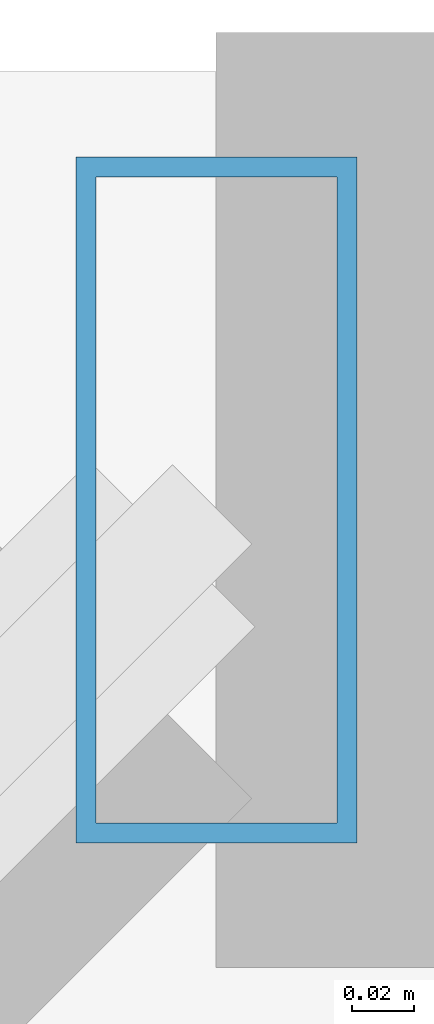
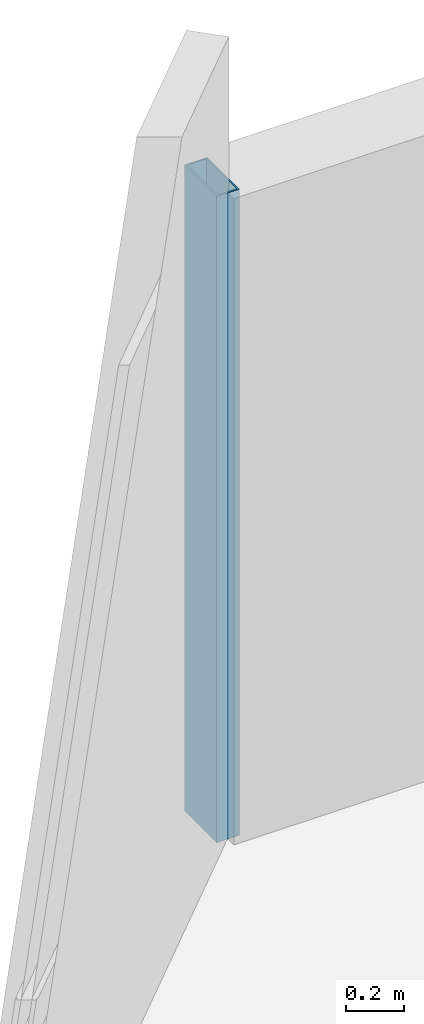
# One storey, part 9 of 33: 1 member, 1 element without a shape of its own.
"""IFC4 building model written with IfcOpenShell, lengths in metres."""

from ifc_helpers import new_model, si_unit, direction, frame, origin, origin_2d, place, context, subcontext, project, spatial, hollow_rectangle, extrude, material, material_profile, profile_set, type_object, element, aggregate, save


model = new_model("IFC4")

# Units and contexts
model_context = context("Model", 3, precision=1e-05, world=origin(), true_north=direction((0.0, 1.0)))
body_context = subcontext(model_context, "Body", "Model", "MODEL_VIEW")
ifc_project = project(units=[si_unit("LENGTHUNIT", "METRE"), si_unit("AREAUNIT", "SQUARE_METRE"), si_unit("VOLUMEUNIT", "CUBIC_METRE"), si_unit("PLANEANGLEUNIT", "RADIAN"), si_unit("MASSUNIT", "GRAM", prefix="KILO")], contexts=[model_context])

# Site, building, storey
site_placement = place(None, origin())
site = spatial("IfcSite", under=ifc_project, at=site_placement, CompositionType="ELEMENT")
building_placement = place(site_placement, origin())
building = spatial("IfcBuilding", under=site, at=building_placement, Name="Thornwick Lancets Civic Towers", CompositionType="ELEMENT")
storey_placement = place(building_placement, frame((0.0, 0.0, 108.89990234375)))
storey = spatial("IfcBuildingStorey", under=building, at=storey_placement, Name="L28", CompositionType="ELEMENT", Elevation=108.89990234375)

# Curtain wall, member
ifc_material_1 = material(Name="Low-zone chamfered-corner unitised glass curtain wall", Category="glass")
curtain_wall_type = type_object("IfcCurtainWallType", Name="CW_SYS_03", PredefinedType="NOTDEFINED", material=ifc_material_1)
curtain_wall_placement = place(storey_placement, origin())
curtain_wall = element("IfcCurtainWall", 1, at=curtain_wall_placement, inside=storey, type_object=curtain_wall_type, Name="L28 Curtain Wall CW-L28-A-E5", PredefinedType="NOTDEFINED")
ifc_material_2 = material(Name="Thermally broken bronze aluminium S355", Category="steel")
ifc_material_profile = material_profile(ifc_material_2, hollow_rectangle(XDim=0.090087890625, YDim=0.219970703125, WallThickness=0.00634765625, at=origin_2d()), Name="RHS 220x90x6.3")
ifc_profile_set = profile_set([ifc_material_profile], Name="Thermally broken bronze aluminium S355")
member_type = type_object("IfcMemberType", Name="CW_MUL_220", PredefinedType="MULLION", material=ifc_profile_set)
member_placement = place(storey_placement, frame((4.771240234375, 50.962646484375, 0.0), z_axis=(0.0, 0.0, 1.0), x_axis=(1.0, 0.0, 0.0)))
member = element("IfcMember", 2, at=member_placement, type_object=member_type, Name="CW-L28-A-E5 Mullion 0", PredefinedType="MULLION", context=body_context, shape_type="SweptSolid", body=[
    extrude(hollow_rectangle(XDim=0.090087890625, YDim=0.219970703125, WallThickness=0.00634765625, at=origin_2d()), origin(), (0.0, 0.0, 1.0), 2.7001953125),
])
aggregate(curtain_wall, [member])

save(model, "model.ifc")
